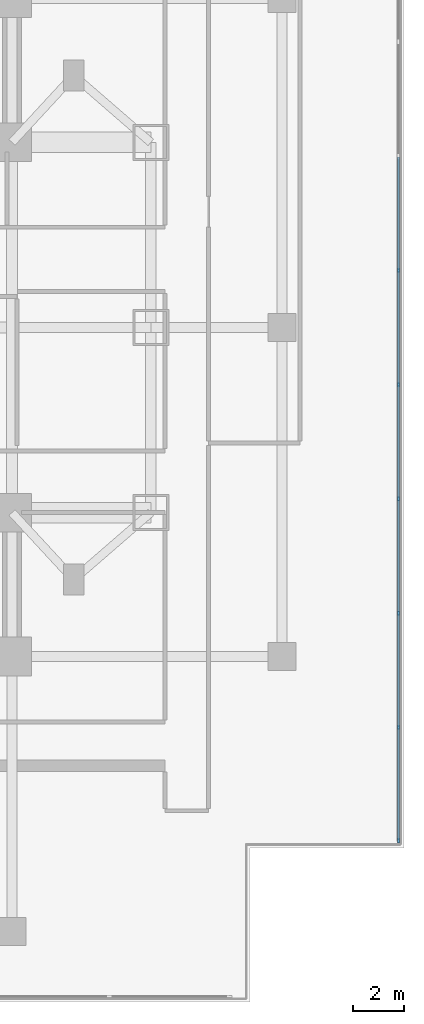
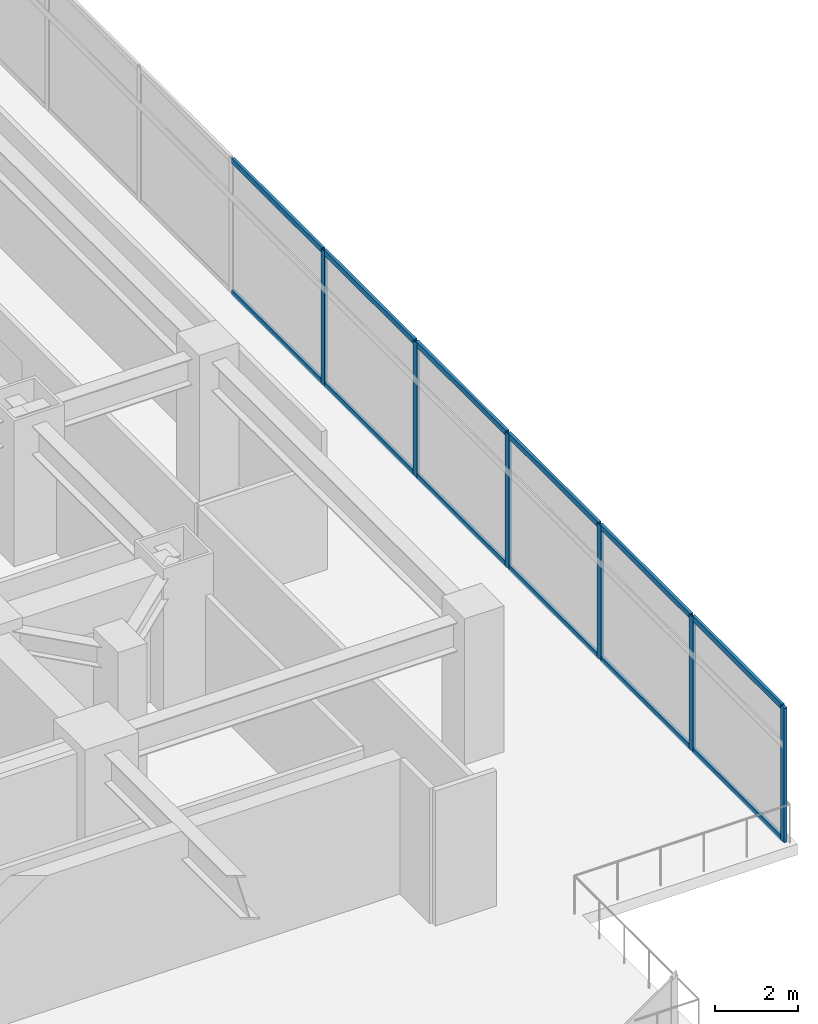
# One storey, part 11 of 31: 18 members, 1 element without a shape of its own.
"""IFC4 building model written with IfcOpenShell, lengths in metres."""

import ifcopenshell
import ifcopenshell.guid

model = None  # the IFC model being written
_history = None  # IfcOwnerHistory: only IFC2X3 demands one
_inside = {}  # id of a spatial element -> (the spatial element, [elements in it])
_under = {}  # id of a project, library or spatial element -> (it, [spatial elements below it])
_declared = {}  # id of a project -> (the project, [libraries it declares])
_typed = {}  # id of a type object -> (the type object, [elements of that type])
_made_of = {}  # id of a material, layer set ... -> (it, [elements and type objects made of it])


def new_model(schema):
    """Start an empty IFC model of exactly this schema.

    Asked for "IFC4X3", IfcOpenShell would pick the latest addendum, in which some entities
    have other attributes; the version numbers below select the first issue.
    IFC2X3 requires an IfcOwnerHistory on every rooted entity: one is made here for all.
    """
    global model, _history
    if schema == "IFC4X3":
        model = ifcopenshell.file(schema_version=(4, 3, 0, 0))
    else:
        model = ifcopenshell.file(schema=schema)
    _inside.clear()
    _under.clear()
    _declared.clear()
    _typed.clear()
    _made_of.clear()
    _history = None
    if model.schema == "IFC2X3":
        org = make("IfcOrganization", Name="unknown")
        user = make(
            "IfcPersonAndOrganization",
            ThePerson=make("IfcPerson", FamilyName="unknown"),
            TheOrganization=org,
        )
        app = make(
            "IfcApplication",
            ApplicationDeveloper=org,
            Version="unknown",
            ApplicationFullName="unknown",
            ApplicationIdentifier="unknown",
        )
        _history = make(
            "IfcOwnerHistory",
            OwningUser=user,
            OwningApplication=app,
            ChangeAction="ADDED",
            CreationDate=0,
        )
    return model


def make(cls, **values):
    """One entity of the class cls with the attributes given. An attribute that is None is left unset."""
    return model.create_entity(
        cls, **{name: value for name, value in values.items() if value is not None}
    )


def rooted(cls, **values):
    """An entity with a GlobalId (a new one), such as an element, a storey or a relation."""
    return make(cls, GlobalId=ifcopenshell.guid.new(), OwnerHistory=_history, **values)


def si_unit(unit_type, name, prefix=None):
    """IfcSIUnit, for example si_unit("LENGTHUNIT", "METRE", prefix="MILLI")."""
    return make("IfcSIUnit", UnitType=unit_type, Prefix=prefix, Name=name)


def assignment(units):
    """IfcUnitAssignment: the units of a project."""
    return None if units is None else make("IfcUnitAssignment", Units=units)


def point(xyz):
    """IfcCartesianPoint."""
    return None if xyz is None else make("IfcCartesianPoint", Coordinates=xyz)


def direction(xyz):
    """IfcDirection."""
    return None if xyz is None else make("IfcDirection", DirectionRatios=xyz)


def frame(location, z_axis=None, x_axis=None):
    """IfcAxis2Placement3D, a coordinate frame: its origin and axes. An axis left out is left unset."""
    return make(
        "IfcAxis2Placement3D",
        Location=point(location),
        Axis=direction(z_axis),
        RefDirection=direction(x_axis),
    )


def frame_2d(location, x_axis=None):
    """IfcAxis2Placement2D, a coordinate frame in the plane: its origin and x axis."""
    return make(
        "IfcAxis2Placement2D", Location=point(location), RefDirection=direction(x_axis)
    )


def origin():
    """The frame at (0, 0, 0) with its axes left unset."""
    return frame((0.0, 0.0, 0.0))


def origin_2d():
    """The frame at (0, 0) in the plane with its x axis left unset."""
    return frame_2d((0.0, 0.0))


def place(relative_to, where):
    """IfcLocalPlacement: puts the frame where relative to a parent placement (None: the world)."""
    return make(
        "IfcLocalPlacement", PlacementRelTo=relative_to, RelativePlacement=where
    )


def context(
    kind, dimensions, precision=None, world=None, true_north=None, identifier=None
):
    """IfcGeometricRepresentationContext, for example the 3D "Model" context."""
    return make(
        "IfcGeometricRepresentationContext",
        ContextIdentifier=identifier,
        ContextType=kind,
        CoordinateSpaceDimension=dimensions,
        Precision=precision,
        WorldCoordinateSystem=world,
        TrueNorth=true_north,
    )


def subcontext(parent, identifier, kind, view, scale=None):
    """IfcGeometricRepresentationSubContext, for example "Body" below "Model"."""
    return make(
        "IfcGeometricRepresentationSubContext",
        ContextIdentifier=identifier,
        ContextType=kind,
        ParentContext=parent,
        TargetScale=scale,
        TargetView=view,
    )


def project(units=None, contexts=None):
    """IfcProject with its units and contexts."""
    return rooted(
        "IfcProject",
        Name="project",
        RepresentationContexts=contexts,
        UnitsInContext=assignment(units),
    )


def spatial(cls, under=None, at=None, **own):
    """A site, building, storey or space (cls), placed at a placement, below another one or the project."""
    s = rooted(cls, ObjectPlacement=at, **own)
    if under is not None:
        _under.setdefault(under.id(), (under, []))[1].append(s)
    return s


def profile(cls, at=None, kind="AREA", **sizes):
    """A parametric profile (cls). Its sizes go by their IFC names, for example OverallWidth=200.0."""
    return make(cls, ProfileType=kind, Position=at, **sizes)


def rectangle(**sizes):
    """IfcRectangleProfileDef."""
    return profile("IfcRectangleProfileDef", **sizes)


def extrude(swept, where, along, depth):
    """IfcExtrudedAreaSolid: the profile swept, set in the frame where, extruded along a direction by depth."""
    return make(
        "IfcExtrudedAreaSolid",
        SweptArea=swept,
        Position=where,
        ExtrudedDirection=direction(along),
        Depth=depth,
    )


def shape(context_of_items, identifier, shape_type, items):
    """IfcShapeRepresentation: the items that make up one representation, for example the "Body"."""
    return make(
        "IfcShapeRepresentation",
        ContextOfItems=context_of_items,
        RepresentationIdentifier=identifier,
        RepresentationType=shape_type,
        Items=items,
    )


def material(Name=None, Category=None):
    """IfcMaterial."""
    return make("IfcMaterial", Name=Name, Category=Category)


def material_profile(
    of_material, cross_section, Name=None, Category=None, Priority=None
):
    """IfcMaterialProfile: a cross section and its material."""
    return make(
        "IfcMaterialProfile",
        Name=Name,
        Material=of_material,
        Profile=cross_section,
        Priority=Priority,
        Category=Category,
    )


def profile_set(profiles, Name=None, composite=None):
    """IfcMaterialProfileSet."""
    return make(
        "IfcMaterialProfileSet",
        Name=Name,
        MaterialProfiles=profiles,
        CompositeProfile=composite,
    )


def made_of(thing, what):
    """Note that an element or type object is made of a material, layer set ...; save() writes the relation."""
    if what is not None:
        _made_of.setdefault(what.id(), (what, []))[1].append(thing)
    return thing


def type_object(cls, material=None, **own):
    """A type object (cls), such as IfcWallType, which elements share."""
    return made_of(rooted(cls, **own), material)


def element(
    cls,
    number,
    at=None,
    inside=None,
    cuts=None,
    type_object=None,
    material=None,
    context=None,
    identifier="Body",
    shape_type=None,
    held_by="IfcProductDefinitionShape",
    body=None,
    shapes=None,
    **own,
):
    """One element of the class cls, such as IfcWall. Its Tag is "e" and its number.

    at: its placement. inside: the storey or other place that contains it. cuts: it is an
    opening in that element (IfcRelVoidsElement). A single representation is given by context,
    identifier, shape_type and body (its items); several are given by shapes. held_by: the class
    of the entity that holds the representations. save() writes the other relations.
    """
    e = rooted(cls, Tag="e%d" % number, ObjectPlacement=at, **own)
    if body is not None:
        shapes = [shape(context, identifier, shape_type, body)]
    if shapes is not None:
        e.Representation = make(held_by, Representations=shapes)
    if inside is not None:
        _inside.setdefault(inside.id(), (inside, []))[1].append(e)
    if cuts is not None:
        rooted(
            "IfcRelVoidsElement", RelatingBuildingElement=cuts, RelatedOpeningElement=e
        )
    if type_object is not None:
        _typed.setdefault(type_object.id(), (type_object, []))[1].append(e)
    return made_of(e, material)


def aggregate(whole, parts):
    """IfcRelAggregates: a whole, such as a stair, and the parts it consists of."""
    return rooted("IfcRelAggregates", RelatingObject=whole, RelatedObjects=parts)


def save(model, path):
    """Write the relations noted so far, then the file.

    IfcRelAggregates (storeys below a building ...), IfcRelContainedInSpatialStructure (elements
    in a storey), IfcRelDefinesByType, IfcRelAssociatesMaterial and IfcRelDeclares: one each for
    every whole, place, type object, material and project.
    """
    for whole, parts in _under.values():
        aggregate(whole, parts)
    for where, things in _inside.values():
        rooted(
            "IfcRelContainedInSpatialStructure",
            RelatedElements=things,
            RelatingStructure=where,
        )
    for kind, things in _typed.values():
        rooted("IfcRelDefinesByType", RelatedObjects=things, RelatingType=kind)
    for what, things in _made_of.values():
        rooted("IfcRelAssociatesMaterial", RelatedObjects=things, RelatingMaterial=what)
    for by, libraries in _declared.values():
        rooted("IfcRelDeclares", RelatingContext=by, RelatedDefinitions=libraries)
    model.write(path)


model = new_model("IFC4")

# Units and contexts
model_context = context("Model", 3, precision=1e-05, world=origin(), true_north=direction((0.0, 1.0)))
body_context = subcontext(model_context, "Body", "Model", "MODEL_VIEW")
ifc_project = project(units=[si_unit("LENGTHUNIT", "METRE"), si_unit("AREAUNIT", "SQUARE_METRE"), si_unit("VOLUMEUNIT", "CUBIC_METRE"), si_unit("PLANEANGLEUNIT", "RADIAN"), si_unit("MASSUNIT", "GRAM", prefix="KILO")], contexts=[model_context])

# Site, building, storey
site_placement = place(None, origin())
site = spatial("IfcSite", under=ifc_project, at=site_placement, CompositionType="ELEMENT")
building_placement = place(site_placement, origin())
building = spatial("IfcBuilding", under=site, at=building_placement, Name="Mirazonda Arch Towers", CompositionType="ELEMENT")
storey_placement = place(building_placement, frame((0.0, 0.0, 5.199951171875)))
storey = spatial("IfcBuildingStorey", under=building, at=storey_placement, Name="L01", CompositionType="ELEMENT", Elevation=5.199951171875)

# Curtain wall, members
ifc_material_1 = material(Name="Anodised Aluminium and Low-E Glass", Category="aluminium")
curtain_wall_type = type_object("IfcCurtainWallType", Name="CW-POD-STORE", PredefinedType="NOTDEFINED", material=ifc_material_1)
curtain_wall_placement = place(storey_placement, origin())
curtain_wall = element("IfcCurtainWall", 1, at=curtain_wall_placement, inside=storey, type_object=curtain_wall_type, Name="L01 Curtain Wall CW-L01-EE", PredefinedType="NOTDEFINED")
ifc_material_2 = material(Name="Anodised Aluminium Alloy", Category="aluminium")
ifc_material_profile_1 = material_profile(ifc_material_2, rectangle(XDim=0.080078125, YDim=0.179931640625, at=origin_2d()), Name="ALU-MULL-80x180")
ifc_profile_set_1 = profile_set([ifc_material_profile_1], Name="Anodised Aluminium Alloy")
member_type_1 = type_object("IfcMemberType", Name="MULL-CW-POD-STORE", PredefinedType="MULLION", material=ifc_profile_set_1)
member_1_placement = place(storey_placement, frame((100.030029296875, 8.0400390625, 0.0), z_axis=(0.0, 0.0, 1.0), x_axis=(-1.0, 0.0, 0.0)))
member_1 = element("IfcMember", 2, at=member_1_placement, type_object=member_type_1, Name="CW-102 mullion 1", PredefinedType="MULLION", context=body_context, shape_type="SweptSolid", body=[
    extrude(rectangle(XDim=0.080078125, YDim=0.179931640625, at=origin_2d()), origin(), (0.0, 0.0, 1.0), 3.9599609375),
])
member_2_placement = place(storey_placement, frame((100.030029296875, 12.4443359375, 0.0), z_axis=(0.0, 0.0, 1.0), x_axis=(-1.0, 0.0, 0.0)))
member_2 = element("IfcMember", 3, at=member_2_placement, type_object=member_type_1, Name="CW-102 mullion 2", PredefinedType="MULLION", context=body_context, shape_type="SweptSolid", body=[
    extrude(rectangle(XDim=0.080078125, YDim=0.179931640625, at=origin_2d()), origin(), (0.0, 0.0, 1.0), 3.9599609375),
])
member_3_placement = place(storey_placement, frame((100.030029296875, 16.888916015625, 0.0), z_axis=(0.0, 0.0, 1.0), x_axis=(-1.0, 0.0, 0.0)))
member_3 = element("IfcMember", 4, at=member_3_placement, type_object=member_type_1, Name="CW-102 mullion 3", PredefinedType="MULLION", context=body_context, shape_type="SweptSolid", body=[
    extrude(rectangle(XDim=0.080078125, YDim=0.179931640625, at=origin_2d()), origin(), (0.0, 0.0, 1.0), 3.9599609375),
])
member_4_placement = place(storey_placement, frame((100.030029296875, 21.333251953125, 0.0), z_axis=(0.0, 0.0, 1.0), x_axis=(-1.0, 0.0, 0.0)))
member_4 = element("IfcMember", 5, at=member_4_placement, type_object=member_type_1, Name="CW-102 mullion 4", PredefinedType="MULLION", context=body_context, shape_type="SweptSolid", body=[
    extrude(rectangle(XDim=0.080078125, YDim=0.179931640625, at=origin_2d()), origin(), (0.0, 0.0, 1.0), 3.9599609375),
])
member_5_placement = place(storey_placement, frame((100.030029296875, 25.77783203125, 0.0), z_axis=(0.0, 0.0, 1.0), x_axis=(-1.0, 0.0, 0.0)))
member_5 = element("IfcMember", 6, at=member_5_placement, type_object=member_type_1, Name="CW-102 mullion 5", PredefinedType="MULLION", context=body_context, shape_type="SweptSolid", body=[
    extrude(rectangle(XDim=0.080078125, YDim=0.179931640625, at=origin_2d()), origin(), (0.0, 0.0, 1.0), 3.9599609375),
])
member_6_placement = place(storey_placement, frame((100.030029296875, 30.22216796875, 0.0), z_axis=(0.0, 0.0, 1.0), x_axis=(-1.0, 0.0, 0.0)))
member_6 = element("IfcMember", 7, at=member_6_placement, type_object=member_type_1, Name="CW-102 mullion 6", PredefinedType="MULLION", context=body_context, shape_type="SweptSolid", body=[
    extrude(rectangle(XDim=0.080078125, YDim=0.179931640625, at=origin_2d()), origin(), (0.0, 0.0, 1.0), 3.9599609375),
])
ifc_material_profile_2 = material_profile(ifc_material_2, rectangle(XDim=0.080078125, YDim=0.159912109375, at=origin_2d()), Name="ALU-TRAN-80x160")
ifc_profile_set_2 = profile_set([ifc_material_profile_2], Name="Anodised Aluminium Alloy")
member_type_2 = type_object("IfcMemberType", Name="TRAN-CW-POD-STORE", PredefinedType="USERDEFINED", material=ifc_profile_set_2)
member_7_placement = place(storey_placement, frame((100.030029296875, 8.080078125, 0.0400390625), z_axis=(0.0, 1.0, 0.0), x_axis=(-1.0, 0.0, 0.0)))
member_7 = element("IfcMember", 8, at=member_7_placement, type_object=member_type_2, Name="CW-102 transom 1.1", ObjectType="TRANSOM", PredefinedType="USERDEFINED", context=body_context, shape_type="SweptSolid", body=[
    extrude(rectangle(XDim=0.080078125, YDim=0.159912109375, at=origin_2d()), origin(), (0.0, 0.0, 1.0), 4.324462890625),
])
member_8_placement = place(storey_placement, frame((100.030029296875, 8.080078125, 3.920166015625), z_axis=(0.0, 1.0, 0.0), x_axis=(-1.0, 0.0, 0.0)))
member_8 = element("IfcMember", 9, at=member_8_placement, type_object=member_type_2, Name="CW-102 transom 1.2", ObjectType="TRANSOM", PredefinedType="USERDEFINED", context=body_context, shape_type="SweptSolid", body=[
    extrude(rectangle(XDim=0.080078125, YDim=0.159912109375, at=origin_2d()), origin(), (0.0, 0.0, 1.0), 4.324462890625),
])
member_9_placement = place(storey_placement, frame((100.030029296875, 12.484375, 0.0400390625), z_axis=(0.0, 1.0, 0.0), x_axis=(-1.0, 0.0, 0.0)))
member_9 = element("IfcMember", 10, at=member_9_placement, type_object=member_type_2, Name="CW-102 transom 2.1", ObjectType="TRANSOM", PredefinedType="USERDEFINED", context=body_context, shape_type="SweptSolid", body=[
    extrude(rectangle(XDim=0.080078125, YDim=0.159912109375, at=origin_2d()), origin(), (0.0, 0.0, 1.0), 4.364501953125),
])
member_10_placement = place(storey_placement, frame((100.030029296875, 12.484375, 3.920166015625), z_axis=(0.0, 1.0, 0.0), x_axis=(-1.0, 0.0, 0.0)))
member_10 = element("IfcMember", 11, at=member_10_placement, type_object=member_type_2, Name="CW-102 transom 2.2", ObjectType="TRANSOM", PredefinedType="USERDEFINED", context=body_context, shape_type="SweptSolid", body=[
    extrude(rectangle(XDim=0.080078125, YDim=0.159912109375, at=origin_2d()), origin(), (0.0, 0.0, 1.0), 4.364501953125),
])
member_11_placement = place(storey_placement, frame((100.030029296875, 16.928955078125, 0.0400390625), z_axis=(0.0, 1.0, 0.0), x_axis=(-1.0, 0.0, 0.0)))
member_11 = element("IfcMember", 12, at=member_11_placement, type_object=member_type_2, Name="CW-102 transom 3.1", ObjectType="TRANSOM", PredefinedType="USERDEFINED", context=body_context, shape_type="SweptSolid", body=[
    extrude(rectangle(XDim=0.080078125, YDim=0.159912109375, at=origin_2d()), origin(), (0.0, 0.0, 1.0), 4.3642578125),
])
member_12_placement = place(storey_placement, frame((100.030029296875, 16.928955078125, 3.920166015625), z_axis=(0.0, 1.0, 0.0), x_axis=(-1.0, 0.0, 0.0)))
member_12 = element("IfcMember", 13, at=member_12_placement, type_object=member_type_2, Name="CW-102 transom 3.2", ObjectType="TRANSOM", PredefinedType="USERDEFINED", context=body_context, shape_type="SweptSolid", body=[
    extrude(rectangle(XDim=0.080078125, YDim=0.159912109375, at=origin_2d()), origin(), (0.0, 0.0, 1.0), 4.3642578125),
])
member_13_placement = place(storey_placement, frame((100.030029296875, 21.373291015625, 0.0400390625), z_axis=(0.0, 1.0, 0.0), x_axis=(-1.0, 0.0, 0.0)))
member_13 = element("IfcMember", 14, at=member_13_placement, type_object=member_type_2, Name="CW-102 transom 4.1", ObjectType="TRANSOM", PredefinedType="USERDEFINED", context=body_context, shape_type="SweptSolid", body=[
    extrude(rectangle(XDim=0.080078125, YDim=0.159912109375, at=origin_2d()), origin(), (0.0, 0.0, 1.0), 4.364501953125),
])
member_14_placement = place(storey_placement, frame((100.030029296875, 21.373291015625, 3.920166015625), z_axis=(0.0, 1.0, 0.0), x_axis=(-1.0, 0.0, 0.0)))
member_14 = element("IfcMember", 15, at=member_14_placement, type_object=member_type_2, Name="CW-102 transom 4.2", ObjectType="TRANSOM", PredefinedType="USERDEFINED", context=body_context, shape_type="SweptSolid", body=[
    extrude(rectangle(XDim=0.080078125, YDim=0.159912109375, at=origin_2d()), origin(), (0.0, 0.0, 1.0), 4.364501953125),
])
member_15_placement = place(storey_placement, frame((100.030029296875, 25.81787109375, 0.0400390625), z_axis=(0.0, 1.0, 0.0), x_axis=(-1.0, 0.0, 0.0)))
member_15 = element("IfcMember", 16, at=member_15_placement, type_object=member_type_2, Name="CW-102 transom 5.1", ObjectType="TRANSOM", PredefinedType="USERDEFINED", context=body_context, shape_type="SweptSolid", body=[
    extrude(rectangle(XDim=0.080078125, YDim=0.159912109375, at=origin_2d()), origin(), (0.0, 0.0, 1.0), 4.3642578125),
])
member_16_placement = place(storey_placement, frame((100.030029296875, 25.81787109375, 3.920166015625), z_axis=(0.0, 1.0, 0.0), x_axis=(-1.0, 0.0, 0.0)))
member_16 = element("IfcMember", 17, at=member_16_placement, type_object=member_type_2, Name="CW-102 transom 5.2", ObjectType="TRANSOM", PredefinedType="USERDEFINED", context=body_context, shape_type="SweptSolid", body=[
    extrude(rectangle(XDim=0.080078125, YDim=0.159912109375, at=origin_2d()), origin(), (0.0, 0.0, 1.0), 4.3642578125),
])
member_17_placement = place(storey_placement, frame((100.030029296875, 30.26220703125, 0.0400390625), z_axis=(0.0, 1.0, 0.0), x_axis=(-1.0, 0.0, 0.0)))
member_17 = element("IfcMember", 18, at=member_17_placement, type_object=member_type_2, Name="CW-102 transom 6.1", ObjectType="TRANSOM", PredefinedType="USERDEFINED", context=body_context, shape_type="SweptSolid", body=[
    extrude(rectangle(XDim=0.080078125, YDim=0.159912109375, at=origin_2d()), origin(), (0.0, 0.0, 1.0), 4.364501953125),
])
member_18_placement = place(storey_placement, frame((100.030029296875, 30.26220703125, 3.920166015625), z_axis=(0.0, 1.0, 0.0), x_axis=(-1.0, 0.0, 0.0)))
member_18 = element("IfcMember", 19, at=member_18_placement, type_object=member_type_2, Name="CW-102 transom 6.2", ObjectType="TRANSOM", PredefinedType="USERDEFINED", context=body_context, shape_type="SweptSolid", body=[
    extrude(rectangle(XDim=0.080078125, YDim=0.159912109375, at=origin_2d()), origin(), (0.0, 0.0, 1.0), 4.364501953125),
])
aggregate(curtain_wall, [member_1, member_2, member_3, member_4, member_5, member_6, member_7, member_8, member_9, member_10, member_11, member_12, member_13, member_14, member_15, member_16, member_17, member_18])

save(model, "model.ifc")
